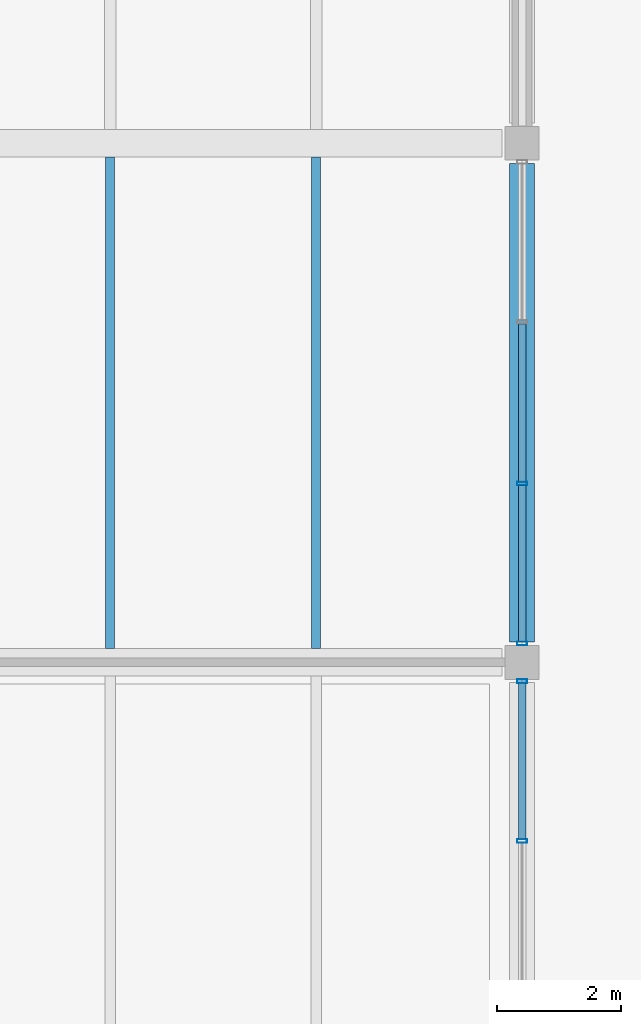
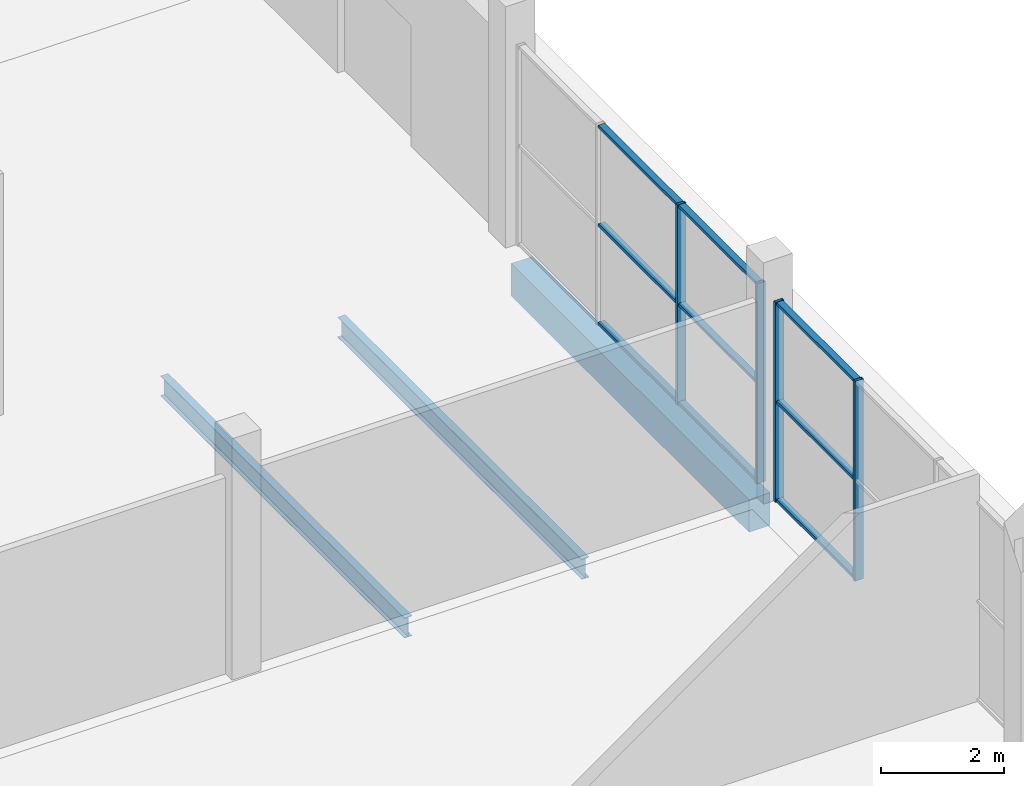
# One storey, part 70 of 130: 13 members, 3 beams, 2 elements without a shape of their own.
"""IFC4 building model written with IfcOpenShell, lengths in metres."""

import ifcopenshell
import ifcopenshell.guid

model = None  # the IFC model being written
_history = None  # IfcOwnerHistory: only IFC2X3 demands one
_inside = {}  # id of a spatial element -> (the spatial element, [elements in it])
_under = {}  # id of a project, library or spatial element -> (it, [spatial elements below it])
_declared = {}  # id of a project -> (the project, [libraries it declares])
_typed = {}  # id of a type object -> (the type object, [elements of that type])
_made_of = {}  # id of a material, layer set ... -> (it, [elements and type objects made of it])


def new_model(schema):
    """Start an empty IFC model of exactly this schema.

    Asked for "IFC4X3", IfcOpenShell would pick the latest addendum, in which some entities
    have other attributes; the version numbers below select the first issue.
    IFC2X3 requires an IfcOwnerHistory on every rooted entity: one is made here for all.
    """
    global model, _history
    if schema == "IFC4X3":
        model = ifcopenshell.file(schema_version=(4, 3, 0, 0))
    else:
        model = ifcopenshell.file(schema=schema)
    _inside.clear()
    _under.clear()
    _declared.clear()
    _typed.clear()
    _made_of.clear()
    _history = None
    if model.schema == "IFC2X3":
        org = make("IfcOrganization", Name="unknown")
        user = make(
            "IfcPersonAndOrganization",
            ThePerson=make("IfcPerson", FamilyName="unknown"),
            TheOrganization=org,
        )
        app = make(
            "IfcApplication",
            ApplicationDeveloper=org,
            Version="unknown",
            ApplicationFullName="unknown",
            ApplicationIdentifier="unknown",
        )
        _history = make(
            "IfcOwnerHistory",
            OwningUser=user,
            OwningApplication=app,
            ChangeAction="ADDED",
            CreationDate=0,
        )
    return model


def make(cls, **values):
    """One entity of the class cls with the attributes given. An attribute that is None is left unset."""
    return model.create_entity(
        cls, **{name: value for name, value in values.items() if value is not None}
    )


def rooted(cls, **values):
    """An entity with a GlobalId (a new one), such as an element, a storey or a relation."""
    return make(cls, GlobalId=ifcopenshell.guid.new(), OwnerHistory=_history, **values)


def si_unit(unit_type, name, prefix=None):
    """IfcSIUnit, for example si_unit("LENGTHUNIT", "METRE", prefix="MILLI")."""
    return make("IfcSIUnit", UnitType=unit_type, Prefix=prefix, Name=name)


def assignment(units):
    """IfcUnitAssignment: the units of a project."""
    return None if units is None else make("IfcUnitAssignment", Units=units)


def point(xyz):
    """IfcCartesianPoint."""
    return None if xyz is None else make("IfcCartesianPoint", Coordinates=xyz)


def direction(xyz):
    """IfcDirection."""
    return None if xyz is None else make("IfcDirection", DirectionRatios=xyz)


def frame(location, z_axis=None, x_axis=None):
    """IfcAxis2Placement3D, a coordinate frame: its origin and axes. An axis left out is left unset."""
    return make(
        "IfcAxis2Placement3D",
        Location=point(location),
        Axis=direction(z_axis),
        RefDirection=direction(x_axis),
    )


def frame_2d(location, x_axis=None):
    """IfcAxis2Placement2D, a coordinate frame in the plane: its origin and x axis."""
    return make(
        "IfcAxis2Placement2D", Location=point(location), RefDirection=direction(x_axis)
    )


def origin():
    """The frame at (0, 0, 0) with its axes left unset."""
    return frame((0.0, 0.0, 0.0))


def origin_2d():
    """The frame at (0, 0) in the plane with its x axis left unset."""
    return frame_2d((0.0, 0.0))


def place(relative_to, where):
    """IfcLocalPlacement: puts the frame where relative to a parent placement (None: the world)."""
    return make(
        "IfcLocalPlacement", PlacementRelTo=relative_to, RelativePlacement=where
    )


def context(
    kind, dimensions, precision=None, world=None, true_north=None, identifier=None
):
    """IfcGeometricRepresentationContext, for example the 3D "Model" context."""
    return make(
        "IfcGeometricRepresentationContext",
        ContextIdentifier=identifier,
        ContextType=kind,
        CoordinateSpaceDimension=dimensions,
        Precision=precision,
        WorldCoordinateSystem=world,
        TrueNorth=true_north,
    )


def subcontext(parent, identifier, kind, view, scale=None):
    """IfcGeometricRepresentationSubContext, for example "Body" below "Model"."""
    return make(
        "IfcGeometricRepresentationSubContext",
        ContextIdentifier=identifier,
        ContextType=kind,
        ParentContext=parent,
        TargetScale=scale,
        TargetView=view,
    )


def project(units=None, contexts=None):
    """IfcProject with its units and contexts."""
    return rooted(
        "IfcProject",
        Name="project",
        RepresentationContexts=contexts,
        UnitsInContext=assignment(units),
    )


def spatial(cls, under=None, at=None, **own):
    """A site, building, storey or space (cls), placed at a placement, below another one or the project."""
    s = rooted(cls, ObjectPlacement=at, **own)
    if under is not None:
        _under.setdefault(under.id(), (under, []))[1].append(s)
    return s


def profile(cls, at=None, kind="AREA", **sizes):
    """A parametric profile (cls). Its sizes go by their IFC names, for example OverallWidth=200.0."""
    return make(cls, ProfileType=kind, Position=at, **sizes)


def rectangle(**sizes):
    """IfcRectangleProfileDef."""
    return profile("IfcRectangleProfileDef", **sizes)


def hollow_rectangle(**sizes):
    """IfcRectangleHollowProfileDef."""
    return profile("IfcRectangleHollowProfileDef", **sizes)


def i_section(**sizes):
    """IfcIShapeProfileDef."""
    return profile("IfcIShapeProfileDef", **sizes)


def extrude(swept, where, along, depth):
    """IfcExtrudedAreaSolid: the profile swept, set in the frame where, extruded along a direction by depth."""
    return make(
        "IfcExtrudedAreaSolid",
        SweptArea=swept,
        Position=where,
        ExtrudedDirection=direction(along),
        Depth=depth,
    )


def shape(context_of_items, identifier, shape_type, items):
    """IfcShapeRepresentation: the items that make up one representation, for example the "Body"."""
    return make(
        "IfcShapeRepresentation",
        ContextOfItems=context_of_items,
        RepresentationIdentifier=identifier,
        RepresentationType=shape_type,
        Items=items,
    )


def material(Name=None, Category=None):
    """IfcMaterial."""
    return make("IfcMaterial", Name=Name, Category=Category)


def material_profile(
    of_material, cross_section, Name=None, Category=None, Priority=None
):
    """IfcMaterialProfile: a cross section and its material."""
    return make(
        "IfcMaterialProfile",
        Name=Name,
        Material=of_material,
        Profile=cross_section,
        Priority=Priority,
        Category=Category,
    )


def profile_set(profiles, Name=None, composite=None):
    """IfcMaterialProfileSet."""
    return make(
        "IfcMaterialProfileSet",
        Name=Name,
        MaterialProfiles=profiles,
        CompositeProfile=composite,
    )


def made_of(thing, what):
    """Note that an element or type object is made of a material, layer set ...; save() writes the relation."""
    if what is not None:
        _made_of.setdefault(what.id(), (what, []))[1].append(thing)
    return thing


def type_object(cls, material=None, **own):
    """A type object (cls), such as IfcWallType, which elements share."""
    return made_of(rooted(cls, **own), material)


def element(
    cls,
    number,
    at=None,
    inside=None,
    cuts=None,
    type_object=None,
    material=None,
    context=None,
    identifier="Body",
    shape_type=None,
    held_by="IfcProductDefinitionShape",
    body=None,
    shapes=None,
    **own,
):
    """One element of the class cls, such as IfcWall. Its Tag is "e" and its number.

    at: its placement. inside: the storey or other place that contains it. cuts: it is an
    opening in that element (IfcRelVoidsElement). A single representation is given by context,
    identifier, shape_type and body (its items); several are given by shapes. held_by: the class
    of the entity that holds the representations. save() writes the other relations.
    """
    e = rooted(cls, Tag="e%d" % number, ObjectPlacement=at, **own)
    if body is not None:
        shapes = [shape(context, identifier, shape_type, body)]
    if shapes is not None:
        e.Representation = make(held_by, Representations=shapes)
    if inside is not None:
        _inside.setdefault(inside.id(), (inside, []))[1].append(e)
    if cuts is not None:
        rooted(
            "IfcRelVoidsElement", RelatingBuildingElement=cuts, RelatedOpeningElement=e
        )
    if type_object is not None:
        _typed.setdefault(type_object.id(), (type_object, []))[1].append(e)
    return made_of(e, material)


def aggregate(whole, parts):
    """IfcRelAggregates: a whole, such as a stair, and the parts it consists of."""
    return rooted("IfcRelAggregates", RelatingObject=whole, RelatedObjects=parts)


def save(model, path):
    """Write the relations noted so far, then the file.

    IfcRelAggregates (storeys below a building ...), IfcRelContainedInSpatialStructure (elements
    in a storey), IfcRelDefinesByType, IfcRelAssociatesMaterial and IfcRelDeclares: one each for
    every whole, place, type object, material and project.
    """
    for whole, parts in _under.values():
        aggregate(whole, parts)
    for where, things in _inside.values():
        rooted(
            "IfcRelContainedInSpatialStructure",
            RelatedElements=things,
            RelatingStructure=where,
        )
    for kind, things in _typed.values():
        rooted("IfcRelDefinesByType", RelatedObjects=things, RelatingType=kind)
    for what, things in _made_of.values():
        rooted("IfcRelAssociatesMaterial", RelatedObjects=things, RelatingMaterial=what)
    for by, libraries in _declared.values():
        rooted("IfcRelDeclares", RelatingContext=by, RelatedDefinitions=libraries)
    model.write(path)


model = new_model("IFC4")

# Units and contexts
model_context = context("Model", 3, precision=1e-05, world=origin(), true_north=direction((0.0, 1.0)))
body_context = subcontext(model_context, "Body", "Model", "MODEL_VIEW")
ifc_project = project(units=[si_unit("LENGTHUNIT", "METRE"), si_unit("AREAUNIT", "SQUARE_METRE"), si_unit("VOLUMEUNIT", "CUBIC_METRE"), si_unit("PLANEANGLEUNIT", "RADIAN"), si_unit("MASSUNIT", "GRAM", prefix="KILO"), si_unit("THERMODYNAMICTEMPERATUREUNIT", "KELVIN")], contexts=[model_context])

# Site, building, storey
site_placement = place(None, origin())
site = spatial("IfcSite", under=ifc_project, at=site_placement, CompositionType="ELEMENT")
building_placement = place(site_placement, origin())
building = spatial("IfcBuilding", under=site, at=building_placement, Name="Nduvali Passage Aquatics Centre", CompositionType="ELEMENT")
storey_placement = place(building_placement, origin())
storey = spatial("IfcBuildingStorey", under=building, at=storey_placement, Name="L00", CompositionType="ELEMENT", Elevation=0.0)

# Curtain wall, members
ifc_material_1 = material(Name="Aluminium EN AW-6063 T6", Category="aluminium")
curtain_wall_type = type_object("IfcCurtainWallType", Name="ENV-CW-FOYR", PredefinedType="NOTDEFINED", material=ifc_material_1)
curtain_wall_1_placement = place(storey_placement, origin())
curtain_wall_1 = element("IfcCurtainWall", 1, at=curtain_wall_1_placement, inside=storey, type_object=curtain_wall_type, Name="L00 East Avenue Entrance Ground CW 081", PredefinedType="NOTDEFINED")
ifc_material_profile_1 = material_profile(ifc_material_1, hollow_rectangle(XDim=0.06005859375, YDim=0.159912109375, WallThickness=0.00390625, at=origin_2d()), Name="ALU MULLION 60x160x4")
ifc_profile_set_1 = profile_set([ifc_material_profile_1], Name="Aluminium EN AW-6063 T6")
member_type_1 = type_object("IfcMemberType", Name="ENV-MEM-MUL60", PredefinedType="MULLION", material=ifc_profile_set_1)
member_1_placement = place(storey_placement, frame((168.0, 39.1083984375, 0.0), z_axis=(0.0, 0.0, 1.0), x_axis=(0.0, 1.0, 0.0)))
member_1 = element("IfcMember", 2, at=member_1_placement, type_object=member_type_1, Name="East Avenue Entrance Ground CW Mullion 3", PredefinedType="MULLION", context=body_context, shape_type="SweptSolid", body=[
    extrude(hollow_rectangle(XDim=0.06005859375, YDim=0.159912109375, WallThickness=0.00390625, at=origin_2d()), origin(), (0.0, 0.0, 1.0), 3.976318359375),
])
member_2_placement = place(storey_placement, frame((168.0, 41.695068359375, 0.0), z_axis=(0.0, 0.0, 1.0), x_axis=(0.0, 1.0, 0.0)))
member_2 = element("IfcMember", 3, at=member_2_placement, type_object=member_type_1, Name="East Avenue Entrance Ground CW Mullion 4", PredefinedType="MULLION", context=body_context, shape_type="SweptSolid", body=[
    extrude(hollow_rectangle(XDim=0.06005859375, YDim=0.159912109375, WallThickness=0.00390625, at=origin_2d()), origin(), (0.0, 0.0, 1.0), 3.976318359375),
])

curtain_wall_2_placement = place(storey_placement, origin())
curtain_wall_2 = element("IfcCurtainWall", 4, at=curtain_wall_2_placement, inside=storey, type_object=curtain_wall_type, Name="L00 East Avenue Entrance Ground CW 083", PredefinedType="NOTDEFINED")
member_3_placement = place(storey_placement, frame((168.0, 42.304931640625, 0.0), z_axis=(0.0, 0.0, 1.0), x_axis=(0.0, 1.0, 0.0)))
member_3 = element("IfcMember", 5, at=member_3_placement, type_object=member_type_1, Name="East Avenue Entrance Ground CW Mullion 1", PredefinedType="MULLION", context=body_context, shape_type="SweptSolid", body=[
    extrude(hollow_rectangle(XDim=0.06005859375, YDim=0.159912109375, WallThickness=0.00390625, at=origin_2d()), origin(), (0.0, 0.0, 1.0), 3.976318359375),
])
member_4_placement = place(storey_placement, frame((168.0, 44.8916015625, 0.0), z_axis=(0.0, 0.0, 1.0), x_axis=(0.0, 1.0, 0.0)))
member_4 = element("IfcMember", 6, at=member_4_placement, type_object=member_type_1, Name="East Avenue Entrance Ground CW Mullion 2", PredefinedType="MULLION", context=body_context, shape_type="SweptSolid", body=[
    extrude(hollow_rectangle(XDim=0.06005859375, YDim=0.159912109375, WallThickness=0.00390625, at=origin_2d()), origin(), (0.0, 0.0, 1.0), 3.976318359375),
])

# Member
ifc_material_profile_2 = material_profile(ifc_material_1, hollow_rectangle(XDim=0.1201171875, YDim=0.06005859375, WallThickness=0.00390625, at=origin_2d()), Name="ALU TRANSOM 120x60x4")
ifc_profile_set_2 = profile_set([ifc_material_profile_2], Name="Aluminium EN AW-6063 T6")
member_type_2 = type_object("IfcMemberType", Name="ENV-MEM-TRN60", PredefinedType="USERDEFINED", material=ifc_profile_set_2)
member_5_placement = place(storey_placement, frame((168.0, 39.13818359375, 0.030029296875), z_axis=(0.0, 1.0, 0.0), x_axis=(-1.0, 0.0, 0.0)))
member_5 = element("IfcMember", 7, at=member_5_placement, type_object=member_type_2, Name="East Avenue Entrance Ground CW Transom B3-R0", ObjectType="TRANSOM", PredefinedType="USERDEFINED", context=body_context, shape_type="SweptSolid", body=[
    extrude(hollow_rectangle(XDim=0.1201171875, YDim=0.06005859375, WallThickness=0.00390625, at=origin_2d()), origin(), (0.0, 0.0, 1.0), 2.52685546875),
])

member_6_placement = place(storey_placement, frame((168.0, 39.13818359375, 1.98828125), z_axis=(0.0, 1.0, 0.0), x_axis=(-1.0, 0.0, 0.0)))
member_6 = element("IfcMember", 8, at=member_6_placement, type_object=member_type_2, Name="East Avenue Entrance Ground CW Transom B3-R1", ObjectType="TRANSOM", PredefinedType="USERDEFINED", context=body_context, shape_type="SweptSolid", body=[
    extrude(hollow_rectangle(XDim=0.1201171875, YDim=0.06005859375, WallThickness=0.00390625, at=origin_2d()), origin(), (0.0, 0.0, 1.0), 2.52685546875),
])

member_7_placement = place(storey_placement, frame((168.0, 39.13818359375, 3.9462890625), z_axis=(0.0, 1.0, 0.0), x_axis=(-1.0, 0.0, 0.0)))
member_7 = element("IfcMember", 9, at=member_7_placement, type_object=member_type_2, Name="East Avenue Entrance Ground CW Transom B3-R2", ObjectType="TRANSOM", PredefinedType="USERDEFINED", context=body_context, shape_type="SweptSolid", body=[
    extrude(hollow_rectangle(XDim=0.1201171875, YDim=0.06005859375, WallThickness=0.00390625, at=origin_2d()), origin(), (0.0, 0.0, 1.0), 2.52685546875),
])

aggregate(curtain_wall_1, [member_1, member_2, member_5, member_6, member_7])

member_8_placement = place(storey_placement, frame((168.0, 42.3349609375, 0.030029296875), z_axis=(0.0, 1.0, 0.0), x_axis=(-1.0, 0.0, 0.0)))
member_8 = element("IfcMember", 10, at=member_8_placement, type_object=member_type_2, Name="East Avenue Entrance Ground CW Transom B1-R0", ObjectType="TRANSOM", PredefinedType="USERDEFINED", context=body_context, shape_type="SweptSolid", body=[
    extrude(hollow_rectangle(XDim=0.1201171875, YDim=0.06005859375, WallThickness=0.00390625, at=origin_2d()), origin(), (0.0, 0.0, 1.0), 2.52685546875),
])

member_9_placement = place(storey_placement, frame((168.0, 42.3349609375, 1.98828125), z_axis=(0.0, 1.0, 0.0), x_axis=(-1.0, 0.0, 0.0)))
member_9 = element("IfcMember", 11, at=member_9_placement, type_object=member_type_2, Name="East Avenue Entrance Ground CW Transom B1-R1", ObjectType="TRANSOM", PredefinedType="USERDEFINED", context=body_context, shape_type="SweptSolid", body=[
    extrude(hollow_rectangle(XDim=0.1201171875, YDim=0.06005859375, WallThickness=0.00390625, at=origin_2d()), origin(), (0.0, 0.0, 1.0), 2.52685546875),
])

member_10_placement = place(storey_placement, frame((168.0, 42.3349609375, 3.9462890625), z_axis=(0.0, 1.0, 0.0), x_axis=(-1.0, 0.0, 0.0)))
member_10 = element("IfcMember", 12, at=member_10_placement, type_object=member_type_2, Name="East Avenue Entrance Ground CW Transom B1-R2", ObjectType="TRANSOM", PredefinedType="USERDEFINED", context=body_context, shape_type="SweptSolid", body=[
    extrude(hollow_rectangle(XDim=0.1201171875, YDim=0.06005859375, WallThickness=0.00390625, at=origin_2d()), origin(), (0.0, 0.0, 1.0), 2.52685546875),
])

member_11_placement = place(storey_placement, frame((168.0, 44.921630859375, 0.030029296875), z_axis=(0.0, 1.0, 0.0), x_axis=(-1.0, 0.0, 0.0)))
member_11 = element("IfcMember", 13, at=member_11_placement, type_object=member_type_2, Name="East Avenue Entrance Ground CW Transom B2-R0", ObjectType="TRANSOM", PredefinedType="USERDEFINED", context=body_context, shape_type="SweptSolid", body=[
    extrude(hollow_rectangle(XDim=0.1201171875, YDim=0.06005859375, WallThickness=0.00390625, at=origin_2d()), origin(), (0.0, 0.0, 1.0), 2.556640625),
])

member_12_placement = place(storey_placement, frame((168.0, 44.921630859375, 1.98828125), z_axis=(0.0, 1.0, 0.0), x_axis=(-1.0, 0.0, 0.0)))
member_12 = element("IfcMember", 14, at=member_12_placement, type_object=member_type_2, Name="East Avenue Entrance Ground CW Transom B2-R1", ObjectType="TRANSOM", PredefinedType="USERDEFINED", context=body_context, shape_type="SweptSolid", body=[
    extrude(hollow_rectangle(XDim=0.1201171875, YDim=0.06005859375, WallThickness=0.00390625, at=origin_2d()), origin(), (0.0, 0.0, 1.0), 2.556640625),
])

member_13_placement = place(storey_placement, frame((168.0, 44.921630859375, 3.9462890625), z_axis=(0.0, 1.0, 0.0), x_axis=(-1.0, 0.0, 0.0)))
member_13 = element("IfcMember", 15, at=member_13_placement, type_object=member_type_2, Name="East Avenue Entrance Ground CW Transom B2-R2", ObjectType="TRANSOM", PredefinedType="USERDEFINED", context=body_context, shape_type="SweptSolid", body=[
    extrude(hollow_rectangle(XDim=0.1201171875, YDim=0.06005859375, WallThickness=0.00390625, at=origin_2d()), origin(), (0.0, 0.0, 1.0), 2.556640625),
])

aggregate(curtain_wall_2, [member_3, member_4, member_8, member_9, member_10, member_11, member_12, member_13])

# Beams
ifc_material_2 = material(Name="Steel S355", Category="steel")
ifc_material_profile_3 = material_profile(ifc_material_2, i_section(OverallWidth=0.14208984375, OverallDepth=0.4033203125, WebThickness=0.0068359375, FlangeThickness=0.01123046875, FilletRadius=0.01025390625, at=origin_2d()), Name="UKB 406x140x46")
ifc_profile_set_3 = profile_set([ifc_material_profile_3], Name="Steel S355")
beam_type_1 = type_object("IfcBeamType", Name="STR-JST-UKB406L", PredefinedType="JOIST", material=ifc_profile_set_3)
for number, where, z_axis, x_axis, name in (
    (16, (161.333251953125, 42.22509765625, -0.505615234375), (0.0, 1.0, 0.0), (-1.0, 0.0, 0.0), "L00 Secondary Joist J1B-0339"),
    (17, (164.666748046875, 42.22509765625, -0.505615234375), (0.0, 1.0, 0.0), (-1.0, 0.0, 0.0), "L00 Secondary Joist J1B-0340"),
):
    element("IfcBeam", number, at=place(storey_placement, frame(where, z_axis=z_axis, x_axis=x_axis)), inside=storey, type_object=beam_type_1, Name=name, PredefinedType="JOIST", context=body_context, shape_type="SweptSolid", body=[
        extrude(i_section(OverallWidth=0.14208984375, OverallDepth=0.4033203125, WebThickness=0.0068359375, FlangeThickness=0.01123046875, FilletRadius=0.01025390625, at=origin_2d()), origin(), (0.0, 0.0, 1.0), 7.949951171875),
    ])
ifc_material_3 = material(Name="Concrete C40/50", Category="concrete")
ifc_material_profile_4 = material_profile(ifc_material_3, rectangle(XDim=0.39990234375, YDim=0.64990234375, at=origin_2d()), Name="RC 400x650")
ifc_profile_set_4 = profile_set([ifc_material_profile_4], Name="Concrete C40/50")
beam_type_2 = type_object("IfcBeamType", Name="STR-SPN-RC4065-EXT", PredefinedType="SPANDREL", material=ifc_profile_set_4)
beam_placement = place(storey_placement, frame((168.0, 42.324951171875, -0.625), z_axis=(0.0, 1.0, 0.0), x_axis=(-1.0, 0.0, 0.0)))
element("IfcBeam", 18, at=beam_placement, inside=storey, type_object=beam_type_2, Name="L00 Primary Y-Girder SP1E-0249", PredefinedType="SPANDREL", context=body_context, shape_type="SweptSolid", body=[
    extrude(rectangle(XDim=0.39990234375, YDim=0.64990234375, at=origin_2d()), origin(), (0.0, 0.0, 1.0), 7.75),
])

save(model, "model.ifc")
